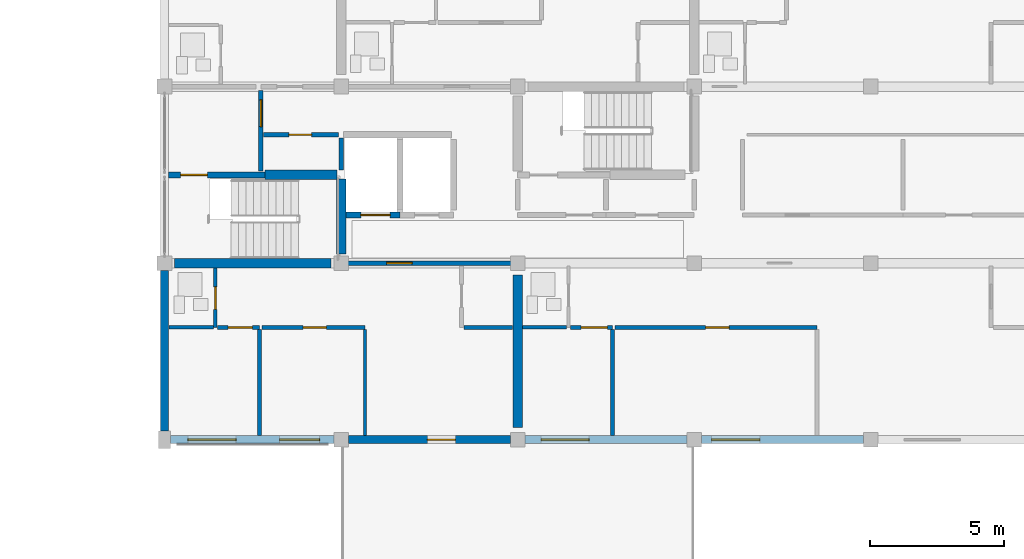
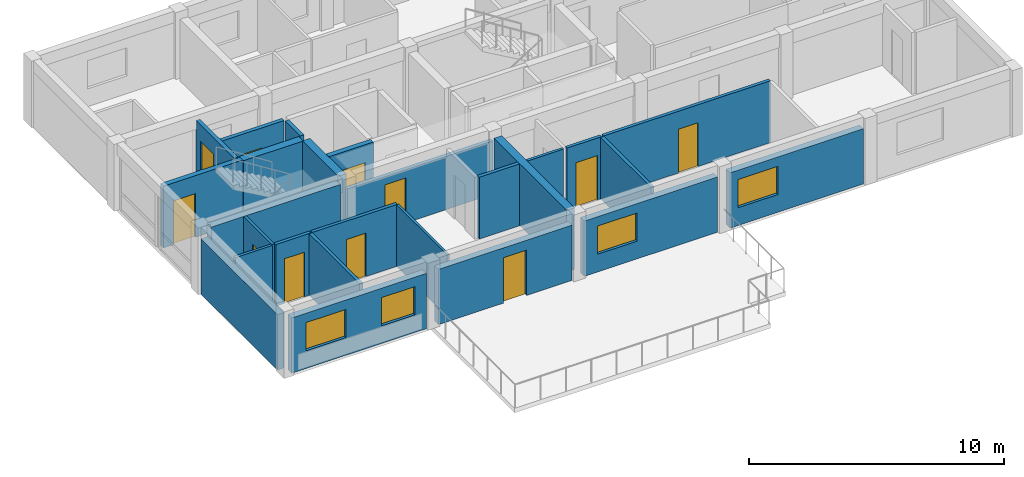
# One storey, part 37 of 51: 26 walls, 11 doors, 4 windows, 15 openings.
"""IFC4 building model written with IfcOpenShell, lengths in metres."""

from ifc_helpers import new_model, si_unit, direction, frame, frame_2d, origin, place, context, subcontext, project, spatial, rectangle, extrude, material, layer, layer_set, type_object, element, fill, save


model = new_model("IFC4")

# Units and contexts
model_context = context("Model", 3, precision=1e-05, world=origin(), true_north=direction((0.0, 1.0)))
body_context = subcontext(model_context, "Body", "Model", "MODEL_VIEW")
ifc_project = project(units=[si_unit("LENGTHUNIT", "METRE"), si_unit("AREAUNIT", "SQUARE_METRE"), si_unit("VOLUMEUNIT", "CUBIC_METRE"), si_unit("PLANEANGLEUNIT", "RADIAN"), si_unit("MASSUNIT", "GRAM", prefix="KILO")], contexts=[model_context])

# Site, building, storey
site_placement = place(None, origin())
site = spatial("IfcSite", under=ifc_project, at=site_placement, CompositionType="ELEMENT")
building_placement = place(site_placement, origin())
building = spatial("IfcBuilding", under=site, at=building_placement, Name="Kernevlak Ridge Housing Community", CompositionType="ELEMENT")
storey_placement = place(building_placement, frame((0.0, 0.0, 8.39990234375)))
storey = spatial("IfcBuildingStorey", under=building, at=storey_placement, Name="L02", CompositionType="ELEMENT", Elevation=8.39990234375)

# Wall, openings, windows
ifc_material_1 = material(Name="Concrete block masonry M10", Category="masonry")
ifc_layer_1 = layer(ifc_material_1, 0.300048828125, Name="Concrete block masonry M10")
ifc_layer_set_1 = layer_set([ifc_layer_1], Name="Concrete block masonry M10")
wall_type_1 = type_object("IfcWallType", Name="EW-01", PredefinedType="STANDARD", material=ifc_layer_set_1)
wall_1_placement = place(storey_placement, frame((119.625, 82.60009765625, 0.0), z_axis=(0.0, 0.0, 1.0), x_axis=(1.0, 0.0, 0.0)))
wall_1 = element("IfcWall", 1, at=wall_1_placement, inside=storey, type_object=wall_type_1, Name="Exterior wall EW-01 L02 323", PredefinedType="STANDARD", context=body_context, shape_type="SweptSolid", body=[
    extrude(rectangle(XDim=6.10009765625, YDim=0.300048828125, at=frame_2d((3.050048828125, 0.0))), origin(), (0.0, 0.0, 1.0), 2.650146484375),
])
opening_1_placement = place(wall_1_placement, frame((0.64990234375, 0.0, 0.85009765625)))
opening_1 = element("IfcOpeningElement", 2, at=opening_1_placement, cuts=wall_1, Name="Opening WT-03", PredefinedType="OPENING", context=body_context, shape_type="SweptSolid", body=[
    extrude(rectangle(XDim=1.800048828125, YDim=1.35009765625, at=frame_2d((0.89990234375, 0.675048828125))), frame((0.0, 0.159912109375, 0.0), z_axis=(0.0, -1.0, 0.0), x_axis=(1.0, 0.0, 0.0)), (0.0, 0.0, 1.0), 0.320068359375),
])
opening_2_placement = place(wall_1_placement, frame((4.074951171875, 0.0, 0.85009765625)))
opening_2 = element("IfcOpeningElement", 3, at=opening_2_placement, cuts=wall_1, Name="Opening WT-02", PredefinedType="OPENING", context=body_context, shape_type="SweptSolid", body=[
    extrude(rectangle(XDim=1.5, YDim=1.35009765625, at=frame_2d((0.75, 0.675048828125))), frame((0.0, 0.159912109375, 0.0), z_axis=(0.0, -1.0, 0.0), x_axis=(1.0, 0.0, 0.0)), (0.0, 0.0, 1.0), 0.320068359375),
])
ifc_material_2 = material(Name="Aluminium EN AW-6060 anodised and laminated glass", Category="aluminium")
window_type_1 = type_object("IfcWindowType", Name="WT-02", PartitioningType="SINGLE_PANEL", PredefinedType="WINDOW", material=ifc_material_2)
window_1_placement = place(opening_2_placement, origin())
window_1 = element("IfcWindow", 4, at=window_1_placement, inside=storey, type_object=window_type_1, Name="Window WT-02 L02 249", OverallHeight=1.35009765625, OverallWidth=1.5, PartitioningType="SINGLE_PANEL", PredefinedType="WINDOW", context=body_context, shape_type="SweptSolid", body=[
    extrude(rectangle(XDim=1.5, YDim=1.35009765625, at=frame_2d((0.75, 0.675048828125))), frame((0.0, 0.030029296875, 0.0), z_axis=(0.0, -1.0, 0.0), x_axis=(1.0, 0.0, 0.0)), (0.0, 0.0, 1.0), 0.06005859375),
])
fill(opening_2, window_1)
window_type_2 = type_object("IfcWindowType", Name="WT-03", PartitioningType="SINGLE_PANEL", PredefinedType="WINDOW", material=ifc_material_2)
window_2_placement = place(opening_1_placement, origin())
window_2 = element("IfcWindow", 5, at=window_2_placement, inside=storey, type_object=window_type_2, Name="Window WT-03 L02 248", OverallHeight=1.35009765625, OverallWidth=1.800048828125, PartitioningType="SINGLE_PANEL", PredefinedType="WINDOW", context=body_context, shape_type="SweptSolid", body=[
    extrude(rectangle(XDim=1.800048828125, YDim=1.35009765625, at=frame_2d((0.89990234375, 0.675048828125))), frame((0.0, 0.030029296875, 0.0), z_axis=(0.0, -1.0, 0.0), x_axis=(1.0, 0.0, 0.0)), (0.0, 0.0, 1.0), 0.06005859375),
])
fill(opening_1, window_2)

# Wall, opening, door
wall_2_placement = place(storey_placement, frame((126.27490234375, 82.60009765625, 0.0), z_axis=(0.0, 0.0, 1.0), x_axis=(1.0, 0.0, 0.0)))
wall_2 = element("IfcWall", 6, at=wall_2_placement, inside=storey, type_object=wall_type_1, Name="Exterior wall EW-01 L02 324", PredefinedType="STANDARD", context=body_context, shape_type="SweptSolid", body=[
    extrude(rectangle(XDim=6.050048828125, YDim=0.300048828125, at=frame_2d((3.02490234375, 0.0))), origin(), (0.0, 0.0, 1.0), 2.650146484375),
])
opening_3_placement = place(wall_2_placement, frame((2.946044921875, 0.0, 0.0)))
opening_3 = element("IfcOpeningElement", 7, at=opening_3_placement, cuts=wall_2, Name="Opening D654", PredefinedType="OPENING", context=body_context, shape_type="SweptSolid", body=[
    extrude(rectangle(XDim=1.050048828125, YDim=2.179931640625, at=frame_2d((0.52490234375, 1.08984375))), frame((0.0, 0.159912109375, 0.0), z_axis=(0.0, -1.0, 0.0), x_axis=(1.0, 0.0, 0.0)), (0.0, 0.0, 1.0), 0.320068359375),
])
ifc_material_3 = material(Name="Aluminium EN AW-6060 and laminated safety glass", Category="aluminium")
door_type_1 = type_object("IfcDoorType", Name="DT-12", OperationType="NOTDEFINED", PredefinedType="DOOR", material=ifc_material_3)
door_1_placement = place(opening_3_placement, origin())
door_1 = element("IfcDoor", 8, at=door_1_placement, inside=storey, type_object=door_type_1, Name="Flat B0211 podium terrace glazed door D654", OperationType="SINGLE_SWING_RIGHT", OverallHeight=2.179931640625, OverallWidth=1.050048828125, PredefinedType="DOOR", context=body_context, shape_type="SweptSolid", body=[
    extrude(rectangle(XDim=1.050048828125, YDim=2.179931640625, at=frame_2d((0.52490234375, 1.08984375))), frame((0.0, 0.02490234375, 0.0), z_axis=(0.0, -1.0, 0.0), x_axis=(1.0, 0.0, 0.0)), (0.0, 0.0, 1.0), 0.050048828125),
])
fill(opening_3, door_1)

# Wall, opening, window
wall_3_placement = place(storey_placement, frame((132.875, 82.60009765625, 0.0), z_axis=(0.0, 0.0, 1.0), x_axis=(1.0, 0.0, 0.0)))
wall_3 = element("IfcWall", 9, at=wall_3_placement, inside=storey, type_object=wall_type_1, Name="Exterior wall EW-01 L02 325", PredefinedType="STANDARD", context=body_context, shape_type="SweptSolid", body=[
    extrude(rectangle(XDim=6.050048828125, YDim=0.300048828125, at=frame_2d((3.02490234375, 0.0))), origin(), (0.0, 0.0, 1.0), 2.650146484375),
])
opening_4_placement = place(wall_3_placement, frame((0.60009765625, 0.0, 0.85009765625)))
opening_4 = element("IfcOpeningElement", 10, at=opening_4_placement, cuts=wall_3, Name="Opening WT-03", PredefinedType="OPENING", context=body_context, shape_type="SweptSolid", body=[
    extrude(rectangle(XDim=1.800048828125, YDim=1.35009765625, at=frame_2d((0.89990234375, 0.675048828125))), frame((0.0, 0.159912109375, 0.0), z_axis=(0.0, -1.0, 0.0), x_axis=(1.0, 0.0, 0.0)), (0.0, 0.0, 1.0), 0.320068359375),
])
window_3_placement = place(opening_4_placement, origin())
window_3 = element("IfcWindow", 11, at=window_3_placement, inside=storey, type_object=window_type_2, Name="Window WT-03 L02 250", OverallHeight=1.35009765625, OverallWidth=1.800048828125, PartitioningType="SINGLE_PANEL", PredefinedType="WINDOW", context=body_context, shape_type="SweptSolid", body=[
    extrude(rectangle(XDim=1.800048828125, YDim=1.35009765625, at=frame_2d((0.89990234375, 0.675048828125))), frame((0.0, 0.030029296875, 0.0), z_axis=(0.0, -1.0, 0.0), x_axis=(1.0, 0.0, 0.0)), (0.0, 0.0, 1.0), 0.06005859375),
])
fill(opening_4, window_3)

wall_4_placement = place(storey_placement, frame((139.47509765625, 82.60009765625, 0.0), z_axis=(0.0, 0.0, 1.0), x_axis=(1.0, 0.0, 0.0)))
wall_4 = element("IfcWall", 12, at=wall_4_placement, inside=storey, type_object=wall_type_1, Name="Exterior wall EW-01 L02 326", PredefinedType="STANDARD", context=body_context, shape_type="SweptSolid", body=[
    extrude(rectangle(XDim=6.0498046875, YDim=0.300048828125, at=frame_2d((3.02490234375, 0.0))), origin(), (0.0, 0.0, 1.0), 2.650146484375),
])
opening_5_placement = place(wall_4_placement, frame((0.375, 0.0, 0.85009765625)))
opening_5 = element("IfcOpeningElement", 13, at=opening_5_placement, cuts=wall_4, Name="Opening WT-03", PredefinedType="OPENING", context=body_context, shape_type="SweptSolid", body=[
    extrude(rectangle(XDim=1.800048828125, YDim=1.35009765625, at=frame_2d((0.89990234375, 0.675048828125))), frame((0.0, 0.159912109375, 0.0), z_axis=(0.0, -1.0, 0.0), x_axis=(1.0, 0.0, 0.0)), (0.0, 0.0, 1.0), 0.320068359375),
])
window_4_placement = place(opening_5_placement, origin())
window_4 = element("IfcWindow", 14, at=window_4_placement, inside=storey, type_object=window_type_2, Name="Window WT-03 L02 251", OverallHeight=1.35009765625, OverallWidth=1.800048828125, PartitioningType="SINGLE_PANEL", PredefinedType="WINDOW", context=body_context, shape_type="SweptSolid", body=[
    extrude(rectangle(XDim=1.800048828125, YDim=1.35009765625, at=frame_2d((0.89990234375, 0.675048828125))), frame((0.0, 0.030029296875, 0.0), z_axis=(0.0, -1.0, 0.0), x_axis=(1.0, 0.0, 0.0)), (0.0, 0.0, 1.0), 0.06005859375),
])
fill(opening_5, window_4)

# Wall
wall_5_placement = place(storey_placement, frame((119.39990234375, 82.925048828125, 0.0), z_axis=(0.0, 0.0, 1.0), x_axis=(0.0, 1.0, 0.0)))
element("IfcWall", 15, at=wall_5_placement, inside=storey, type_object=wall_type_1, Name="Exterior wall EW-01 L02 335", PredefinedType="STANDARD", context=body_context, shape_type="SweptSolid", body=[
    extrude(rectangle(XDim=6.0, YDim=0.300048828125, at=frame_2d((3.0, 0.0))), origin(), (0.0, 0.0, 1.0), 2.650146484375),
])

# Wall, opening, door
ifc_material_4 = material(Name="Concrete C35/45", Category="concrete")
ifc_layer_2 = layer(ifc_material_4, 0.22509765625, Name="Concrete C35/45")
ifc_layer_set_2 = layer_set([ifc_layer_2], Name="Concrete C35/45")
wall_type_2 = type_object("IfcWallType", Name="PW-01", PredefinedType="STANDARD", material=ifc_layer_set_2)
wall_6_placement = place(storey_placement, frame((119.550048828125, 92.5, 0.0), z_axis=(0.0, 0.0, 1.0), x_axis=(1.0, 0.0, 0.0)))
wall_6 = element("IfcWall", 16, at=wall_6_placement, inside=storey, type_object=wall_type_2, Name="Interior wall PW-01 WAL-INT-L02-1267", PredefinedType="STANDARD", context=body_context, shape_type="SweptSolid", body=[
    extrude(rectangle(XDim=3.599853515625, YDim=0.22509765625, at=frame_2d((1.7998046875, 0.0))), origin(), (0.0, 0.0, 1.0), 2.960205078125),
])
opening_6_placement = place(wall_6_placement, frame((0.449951171875, 0.0, 0.0)))
opening_6 = element("IfcOpeningElement", 17, at=opening_6_placement, cuts=wall_6, Name="Opening D641", PredefinedType="OPENING", context=body_context, shape_type="SweptSolid", body=[
    extrude(rectangle(XDim=1.0, YDim=2.10009765625, at=frame_2d((0.5, 1.050048828125))), frame((0.0, 0.12255859375, 0.0), z_axis=(0.0, -1.0, 0.0), x_axis=(1.0, 0.0, 0.0)), (0.0, 0.0, 1.0), 0.2451171875),
])
ifc_material_5 = material(Name="Fire-rated sheet steel leaf", Category="steel")
door_type_2 = type_object("IfcDoorType", Name="DT-05", OperationType="NOTDEFINED", PredefinedType="DOOR", material=ifc_material_5)
door_2_placement = place(opening_6_placement, origin())
door_2 = element("IfcDoor", 18, at=door_2_placement, inside=storey, type_object=door_type_2, Name="Block B Stair 1 fire door D641", OperationType="SINGLE_SWING_LEFT", OverallHeight=2.10009765625, OverallWidth=1.0, PredefinedType="DOOR", context=body_context, shape_type="SweptSolid", body=[
    extrude(rectangle(XDim=1.0, YDim=2.10009765625, at=frame_2d((0.5, 1.050048828125))), frame((0.0, 0.02490234375, 0.0), z_axis=(0.0, -1.0, 0.0), x_axis=(1.0, 0.0, 0.0)), (0.0, 0.0, 1.0), 0.050048828125),
])
fill(opening_6, door_2)

wall_7_placement = place(storey_placement, frame((126.18505859375, 91.0, 0.0), z_axis=(0.0, 0.0, 1.0), x_axis=(1.0, 0.0, 0.0)))
wall_7 = element("IfcWall", 19, at=wall_7_placement, inside=storey, type_object=wall_type_2, Name="Interior wall PW-01 WAL-INT-L02-1271", PredefinedType="STANDARD", context=body_context, shape_type="SweptSolid", body=[
    extrude(rectangle(XDim=2.014892578125, YDim=0.22509765625, at=frame_2d((1.00732421875, 0.0))), origin(), (0.0, 0.0, 1.0), 2.960205078125),
])
opening_7_placement = place(wall_7_placement, frame((0.550048828125, 0.0, 0.0)))
opening_7 = element("IfcOpeningElement", 20, at=opening_7_placement, cuts=wall_7, Name="Opening LD34", PredefinedType="OPENING", context=body_context, shape_type="SweptSolid", body=[
    extrude(rectangle(XDim=1.10009765625, YDim=2.10009765625, at=frame_2d((0.550048828125, 1.050048828125))), frame((0.0, 0.12255859375, 0.0), z_axis=(0.0, -1.0, 0.0), x_axis=(1.0, 0.0, 0.0)), (0.0, 0.0, 1.0), 0.2451171875),
])
ifc_material_6 = material(Name="Stainless steel EN 1.4401", Category="steel")
door_type_3 = type_object("IfcDoorType", Name="DT-LD1", OperationType="DOUBLE_DOOR_SLIDING", PredefinedType="DOOR", material=ifc_material_6)
door_3_placement = place(opening_7_placement, origin())
door_3 = element("IfcDoor", 21, at=door_3_placement, inside=storey, type_object=door_type_3, Name="Lift LF-B1 landing door LD34", OperationType="DOUBLE_DOOR_SLIDING", OverallHeight=2.10009765625, OverallWidth=1.10009765625, PredefinedType="DOOR", context=body_context, shape_type="SweptSolid", body=[
    extrude(rectangle(XDim=1.10009765625, YDim=2.10009765625, at=frame_2d((0.550048828125, 1.050048828125))), frame((0.0, 0.02490234375, 0.0), z_axis=(0.0, -1.0, 0.0), x_axis=(1.0, 0.0, 0.0)), (0.0, 0.0, 1.0), 0.050048828125),
])
fill(opening_7, door_3)

ifc_layer_3 = layer(ifc_material_1, 0.175048828125, Name="Concrete block masonry M10")
ifc_layer_set_3 = layer_set([ifc_layer_3], Name="Concrete block masonry M10")
wall_type_3 = type_object("IfcWallType", Name="PW-02", PredefinedType="PARTITIONING", material=ifc_layer_set_3)
wall_8_placement = place(storey_placement, frame((123.0, 92.64990234375, 0.0), z_axis=(0.0, 0.0, 1.0), x_axis=(0.0, 1.0, 0.0)))
wall_8 = element("IfcWall", 22, at=wall_8_placement, inside=storey, type_object=wall_type_3, Name="Interior wall PW-02 WAL-INT-L02-1268", PredefinedType="PARTITIONING", context=body_context, shape_type="SweptSolid", body=[
    extrude(rectangle(XDim=3.0, YDim=0.175048828125, at=frame_2d((1.5, 0.0))), origin(), (0.0, 0.0, 1.0), 2.960205078125),
])
opening_8_placement = place(wall_8_placement, frame((1.64990234375, 0.0, 0.0)))
opening_8 = element("IfcOpeningElement", 23, at=opening_8_placement, cuts=wall_8, Name="Opening D642", PredefinedType="OPENING", context=body_context, shape_type="SweptSolid", body=[
    extrude(rectangle(XDim=1.0, YDim=2.159912109375, at=frame_2d((0.5, 1.080078125))), frame((0.0, 0.097412109375, 0.0), z_axis=(0.0, -1.0, 0.0), x_axis=(1.0, 0.0, 0.0)), (0.0, 0.0, 1.0), 0.195068359375),
])
door_type_4 = type_object("IfcDoorType", Name="DT-15", OperationType="NOTDEFINED", PredefinedType="DOOR", material=ifc_material_5)
door_4_placement = place(opening_8_placement, origin())
door_4 = element("IfcDoor", 24, at=door_4_placement, inside=storey, type_object=door_type_4, Name="Block B Firefighting lobby 1 door D642", OperationType="SINGLE_SWING_RIGHT", OverallHeight=2.159912109375, OverallWidth=1.0, PredefinedType="DOOR", context=body_context, shape_type="SweptSolid", body=[
    extrude(rectangle(XDim=1.0, YDim=2.159912109375, at=frame_2d((0.5, 1.080078125))), frame((0.0, 0.02490234375, 0.0), z_axis=(0.0, -1.0, 0.0), x_axis=(1.0, 0.0, 0.0)), (0.0, 0.0, 1.0), 0.050048828125),
])
fill(opening_8, door_4)

wall_9_placement = place(storey_placement, frame((123.10009765625, 94.0, 0.0), z_axis=(0.0, 0.0, 1.0), x_axis=(1.0, 0.0, 0.0)))
wall_9 = element("IfcWall", 25, at=wall_9_placement, inside=storey, type_object=wall_type_3, Name="Interior wall PW-02 WAL-INT-L02-1269", PredefinedType="PARTITIONING", context=body_context, shape_type="SweptSolid", body=[
    extrude(rectangle(XDim=2.7998046875, YDim=0.175048828125, at=frame_2d((1.39990234375, 0.0))), origin(), (0.0, 0.0, 1.0), 2.960205078125),
])
opening_9_placement = place(wall_9_placement, frame((0.949951171875, 0.0, 0.0)))
opening_9 = element("IfcOpeningElement", 26, at=opening_9_placement, cuts=wall_9, Name="Opening D643", PredefinedType="OPENING", context=body_context, shape_type="SweptSolid", body=[
    extrude(rectangle(XDim=0.85009765625, YDim=2.0, at=frame_2d((0.425048828125, 1.0))), frame((0.0, 0.097412109375, 0.0), z_axis=(0.0, -1.0, 0.0), x_axis=(1.0, 0.0, 0.0)), (0.0, 0.0, 1.0), 0.195068359375),
])
door_type_5 = type_object("IfcDoorType", Name="DT-07", OperationType="NOTDEFINED", PredefinedType="DOOR", material=ifc_material_5)
door_5_placement = place(opening_9_placement, origin())
door_5 = element("IfcDoor", 27, at=door_5_placement, inside=storey, type_object=door_type_5, Name="Block B Riser shaft door D643", OperationType="SINGLE_SWING_LEFT", OverallHeight=2.0, OverallWidth=0.85009765625, PredefinedType="DOOR", context=body_context, shape_type="SweptSolid", body=[
    extrude(rectangle(XDim=0.85009765625, YDim=2.0, at=frame_2d((0.425048828125, 1.0))), frame((0.0, 0.02490234375, 0.0), z_axis=(0.0, -1.0, 0.0), x_axis=(1.0, 0.0, 0.0)), (0.0, 0.0, 1.0), 0.050048828125),
])
fill(opening_9, door_5)

# Wall
wall_10_placement = place(storey_placement, frame((126.0, 92.679931640625, 0.0), z_axis=(0.0, 0.0, 1.0), x_axis=(0.0, 1.0, 0.0)))
element("IfcWall", 28, at=wall_10_placement, inside=storey, type_object=wall_type_3, Name="Interior wall PW-02 WAL-INT-L02-1270", PredefinedType="PARTITIONING", context=body_context, shape_type="SweptSolid", body=[
    extrude(rectangle(XDim=1.190185546875, YDim=0.175048828125, at=frame_2d((0.59521484375, 0.0))), origin(), (0.0, 0.0, 1.0), 2.960205078125),
])

# Wall, opening, door
wall_11_placement = place(storey_placement, frame((126.0, 89.199951171875, 0.0), z_axis=(0.0, 0.0, 1.0), x_axis=(1.0, 0.0, 0.0)))
wall_11 = element("IfcWall", 29, at=wall_11_placement, inside=storey, type_object=wall_type_3, Name="Interior wall PW-02 WAL-INT-L02-1288", PredefinedType="PARTITIONING", context=body_context, shape_type="SweptSolid", body=[
    extrude(rectangle(XDim=6.60009765625, YDim=0.175048828125, at=frame_2d((3.300048828125, 0.0))), origin(), (0.0, 0.0, 1.0), 2.550048828125),
])
opening_10_placement = place(wall_11_placement, frame((1.699951171875, 0.0, 0.0)))
opening_10 = element("IfcOpeningElement", 30, at=opening_10_placement, cuts=wall_11, Name="Opening D649", PredefinedType="OPENING", context=body_context, shape_type="SweptSolid", body=[
    extrude(rectangle(XDim=0.949951171875, YDim=2.159912109375, at=frame_2d((0.47509765625, 1.080078125))), frame((0.0, 0.097412109375, 0.0), z_axis=(0.0, -1.0, 0.0), x_axis=(1.0, 0.0, 0.0)), (0.0, 0.0, 1.0), 0.195068359375),
])
ifc_material_7 = material(Name="Hardwood timber solid-core fire leaf", Category="wood")
door_type_6 = type_object("IfcDoorType", Name="DT-02", OperationType="NOTDEFINED", PredefinedType="DOOR", material=ifc_material_7)
door_6_placement = place(opening_10_placement, origin())
door_6 = element("IfcDoor", 31, at=door_6_placement, inside=storey, type_object=door_type_6, Name="Flat B0211 entrance fire door D649", OperationType="SINGLE_SWING_LEFT", OverallHeight=2.159912109375, OverallWidth=0.949951171875, PredefinedType="DOOR", context=body_context, shape_type="SweptSolid", body=[
    extrude(rectangle(XDim=0.949951171875, YDim=2.159912109375, at=frame_2d((0.47509765625, 1.080078125))), frame((0.0, 0.02490234375, 0.0), z_axis=(0.0, -1.0, 0.0), x_axis=(1.0, 0.0, 0.0)), (0.0, 0.0, 1.0), 0.050048828125),
])
fill(opening_10, door_6)

ifc_layer_4 = layer(ifc_material_1, 0.14501953125, Name="Concrete block masonry M10")
ifc_layer_set_4 = layer_set([ifc_layer_4], Name="Concrete block masonry M10")
wall_type_4 = type_object("IfcWallType", Name="PW-03", PredefinedType="PARTITIONING", material=ifc_layer_set_4)
wall_12_placement = place(storey_placement, frame((121.37255859375, 86.800048828125, 0.0), z_axis=(0.0, 0.0, 1.0), x_axis=(1.0, 0.0, 0.0)))
wall_12 = element("IfcWall", 32, at=wall_12_placement, inside=storey, type_object=wall_type_4, Name="Interior wall PW-03 WAL-INT-L02-1293", PredefinedType="PARTITIONING", context=body_context, shape_type="SweptSolid", body=[
    extrude(rectangle(XDim=1.577392578125, YDim=0.14501953125, at=frame_2d((0.78857421875, 0.0))), origin(), (0.0, 0.0, 1.0), 2.960205078125),
])
opening_11_placement = place(wall_12_placement, frame((0.39990234375, 0.0, 0.0)))
opening_11 = element("IfcOpeningElement", 33, at=opening_11_placement, cuts=wall_12, Name="Opening D652", PredefinedType="OPENING", context=body_context, shape_type="SweptSolid", body=[
    extrude(rectangle(XDim=0.909912109375, YDim=2.139892578125, at=frame_2d((0.455078125, 1.06982421875))), frame((0.0, 0.08251953125, 0.0), z_axis=(0.0, -1.0, 0.0), x_axis=(1.0, 0.0, 0.0)), (0.0, 0.0, 1.0), 0.1650390625),
])
ifc_material_8 = material(Name="Hardwood timber leaf", Category="wood")
door_type_7 = type_object("IfcDoorType", Name="DT-31", OperationType="NOTDEFINED", PredefinedType="DOOR", material=ifc_material_8)
door_7_placement = place(opening_11_placement, origin())
door_7 = element("IfcDoor", 34, at=door_7_placement, inside=storey, type_object=door_type_7, Name="Flat B0211 bedroom door D652", OperationType="SINGLE_SWING_RIGHT", OverallHeight=2.139892578125, OverallWidth=0.909912109375, PredefinedType="DOOR", context=body_context, shape_type="SweptSolid", body=[
    extrude(rectangle(XDim=0.909912109375, YDim=2.139892578125, at=frame_2d((0.455078125, 1.06982421875))), frame((0.0, 0.02490234375, 0.0), z_axis=(0.0, -1.0, 0.0), x_axis=(1.0, 0.0, 0.0)), (0.0, 0.0, 1.0), 0.050048828125),
])
fill(opening_11, door_7)

# Wall
wall_13_placement = place(storey_placement, frame((122.949951171875, 86.717529296875, 0.0), z_axis=(0.0, 0.0, 1.0), x_axis=(0.0, -1.0, 0.0)))
element("IfcWall", 35, at=wall_13_placement, inside=storey, type_object=wall_type_4, Name="Interior wall PW-03 WAL-INT-L02-1294", PredefinedType="PARTITIONING", context=body_context, shape_type="SweptSolid", body=[
    extrude(rectangle(XDim=3.95751953125, YDim=0.14501953125, at=frame_2d((1.978759765625, 0.0))), origin(), (0.0, 0.0, 1.0), 2.960205078125),
])

# Wall, opening, door
wall_14_placement = place(storey_placement, frame((123.032470703125, 86.800048828125, 0.0), z_axis=(0.0, 0.0, 1.0), x_axis=(1.0, 0.0, 0.0)))
wall_14 = element("IfcWall", 36, at=wall_14_placement, inside=storey, type_object=wall_type_4, Name="Interior wall PW-03 WAL-INT-L02-1295", PredefinedType="PARTITIONING", context=body_context, shape_type="SweptSolid", body=[
    extrude(rectangle(XDim=3.859619140625, YDim=0.14501953125, at=frame_2d((1.9296875, 0.0))), origin(), (0.0, 0.0, 1.0), 2.960205078125),
])
opening_12_placement = place(wall_14_placement, frame((1.5458984375, 0.0, 0.0)))
opening_12 = element("IfcOpeningElement", 37, at=opening_12_placement, cuts=wall_14, Name="Opening D653", PredefinedType="OPENING", context=body_context, shape_type="SweptSolid", body=[
    extrude(rectangle(XDim=0.8701171875, YDim=2.080078125, at=frame_2d((0.43505859375, 1.0400390625))), frame((0.0, 0.08251953125, 0.0), z_axis=(0.0, -1.0, 0.0), x_axis=(1.0, 0.0, 0.0)), (0.0, 0.0, 1.0), 0.1650390625),
])
door_type_8 = type_object("IfcDoorType", Name="DT-32", OperationType="NOTDEFINED", PredefinedType="DOOR", material=ifc_material_8)
door_8_placement = place(opening_12_placement, origin())
door_8 = element("IfcDoor", 38, at=door_8_placement, inside=storey, type_object=door_type_8, Name="Flat B0211 bedroom door D653", OperationType="SINGLE_SWING_LEFT", OverallHeight=2.080078125, OverallWidth=0.8701171875, PredefinedType="DOOR", context=body_context, shape_type="SweptSolid", body=[
    extrude(rectangle(XDim=0.8701171875, YDim=2.080078125, at=frame_2d((0.43505859375, 1.0400390625))), frame((0.0, 0.02490234375, 0.0), z_axis=(0.0, -1.0, 0.0), x_axis=(1.0, 0.0, 0.0)), (0.0, 0.0, 1.0), 0.050048828125),
])
fill(opening_12, door_8)

wall_15_placement = place(storey_placement, frame((134.572509765625, 86.800048828125, 0.0), z_axis=(0.0, 0.0, 1.0), x_axis=(1.0, 0.0, 0.0)))
wall_15 = element("IfcWall", 39, at=wall_15_placement, inside=storey, type_object=wall_type_4, Name="Interior wall PW-03 WAL-INT-L02-1302", PredefinedType="PARTITIONING", context=body_context, shape_type="SweptSolid", body=[
    extrude(rectangle(XDim=1.577392578125, YDim=0.14501953125, at=frame_2d((0.78857421875, 0.0))), origin(), (0.0, 0.0, 1.0), 2.960205078125),
])
opening_13_placement = place(wall_15_placement, frame((0.39990234375, 0.0, 0.0)))
opening_13 = element("IfcOpeningElement", 40, at=opening_13_placement, cuts=wall_15, Name="Opening D658", PredefinedType="OPENING", context=body_context, shape_type="SweptSolid", body=[
    extrude(rectangle(XDim=0.97998046875, YDim=2.1201171875, at=frame_2d((0.489990234375, 1.06005859375))), frame((0.0, 0.08251953125, 0.0), z_axis=(0.0, -1.0, 0.0), x_axis=(1.0, 0.0, 0.0)), (0.0, 0.0, 1.0), 0.1650390625),
])
door_type_9 = type_object("IfcDoorType", Name="DT-24", OperationType="NOTDEFINED", PredefinedType="DOOR", material=ifc_material_8)
door_9_placement = place(opening_13_placement, origin())
door_9 = element("IfcDoor", 41, at=door_9_placement, inside=storey, type_object=door_type_9, Name="Flat B0212 bedroom door D658", OperationType="SINGLE_SWING_RIGHT", OverallHeight=2.1201171875, OverallWidth=0.97998046875, PredefinedType="DOOR", context=body_context, shape_type="SweptSolid", body=[
    extrude(rectangle(XDim=0.97998046875, YDim=2.1201171875, at=frame_2d((0.489990234375, 1.06005859375))), frame((0.0, 0.02490234375, 0.0), z_axis=(0.0, -1.0, 0.0), x_axis=(1.0, 0.0, 0.0)), (0.0, 0.0, 1.0), 0.050048828125),
])
fill(opening_13, door_9)

# Wall
wall_16_placement = place(storey_placement, frame((136.14990234375, 86.717529296875, 0.0), z_axis=(0.0, 0.0, 1.0), x_axis=(0.0, -1.0, 0.0)))
element("IfcWall", 42, at=wall_16_placement, inside=storey, type_object=wall_type_4, Name="Interior wall PW-03 WAL-INT-L02-1303", PredefinedType="PARTITIONING", context=body_context, shape_type="SweptSolid", body=[
    extrude(rectangle(XDim=3.95751953125, YDim=0.14501953125, at=frame_2d((1.978759765625, 0.0))), origin(), (0.0, 0.0, 1.0), 2.960205078125),
])

# Wall, opening, door
wall_17_placement = place(storey_placement, frame((136.232421875, 86.800048828125, 0.0), z_axis=(0.0, 0.0, 1.0), x_axis=(1.0, 0.0, 0.0)))
wall_17 = element("IfcWall", 43, at=wall_17_placement, inside=storey, type_object=wall_type_4, Name="Interior wall PW-03 WAL-INT-L02-1304", PredefinedType="PARTITIONING", context=body_context, shape_type="SweptSolid", body=[
    extrude(rectangle(XDim=7.5556640625, YDim=0.14501953125, at=frame_2d((3.77783203125, 0.0))), origin(), (0.0, 0.0, 1.0), 2.960205078125),
])
opening_14_placement = place(wall_17_placement, frame((3.39404296875, 0.0, 0.0)))
opening_14 = element("IfcOpeningElement", 44, at=opening_14_placement, cuts=wall_17, Name="Opening D659", PredefinedType="OPENING", context=body_context, shape_type="SweptSolid", body=[
    extrude(rectangle(XDim=0.8798828125, YDim=2.10009765625, at=frame_2d((0.43994140625, 1.050048828125))), frame((0.0, 0.08251953125, 0.0), z_axis=(0.0, -1.0, 0.0), x_axis=(1.0, 0.0, 0.0)), (0.0, 0.0, 1.0), 0.1650390625),
])
door_type_10 = type_object("IfcDoorType", Name="DT-25", OperationType="NOTDEFINED", PredefinedType="DOOR", material=ifc_material_8)
door_10_placement = place(opening_14_placement, origin())
door_10 = element("IfcDoor", 45, at=door_10_placement, inside=storey, type_object=door_type_10, Name="Flat B0212 bedroom door D659", OperationType="SINGLE_SWING_LEFT", OverallHeight=2.10009765625, OverallWidth=0.8798828125, PredefinedType="DOOR", context=body_context, shape_type="SweptSolid", body=[
    extrude(rectangle(XDim=0.8798828125, YDim=2.10009765625, at=frame_2d((0.43994140625, 1.050048828125))), frame((0.0, 0.02490234375, 0.0), z_axis=(0.0, -1.0, 0.0), x_axis=(1.0, 0.0, 0.0)), (0.0, 0.0, 1.0), 0.050048828125),
])
fill(opening_14, door_10)

ifc_material_9 = material(Name="Gypsum plasterboard EN 520", Category="gypsum")
ifc_layer_5 = layer(ifc_material_9, 0.125, Name="Gypsum plasterboard EN 520")
ifc_layer_set_5 = layer_set([ifc_layer_5], Name="Gypsum plasterboard EN 520")
wall_type_5 = type_object("IfcWallType", Name="PW-04", PredefinedType="PARTITIONING", material=ifc_layer_set_5)
wall_18_placement = place(storey_placement, frame((121.300048828125, 89.014892578125, 0.0), z_axis=(0.0, 0.0, 1.0), x_axis=(0.0, -1.0, 0.0)))
wall_18 = element("IfcWall", 46, at=wall_18_placement, inside=storey, type_object=wall_type_5, Name="Interior wall PW-04 WAL-INT-L02-1289", PredefinedType="PARTITIONING", context=body_context, shape_type="SweptSolid", body=[
    extrude(rectangle(XDim=2.21484375, YDim=0.125, at=frame_2d((1.107421875, 0.0))), origin(), (0.0, 0.0, 1.0), 2.960205078125),
])
opening_15_placement = place(wall_18_placement, frame((0.699951171875, 0.0, 0.0)))
opening_15 = element("IfcOpeningElement", 47, at=opening_15_placement, cuts=wall_18, Name="Opening D650", PredefinedType="OPENING", context=body_context, shape_type="SweptSolid", body=[
    extrude(rectangle(XDim=0.840087890625, YDim=2.06005859375, at=frame_2d((0.419921875, 1.030029296875))), frame((0.0, 0.072509765625, 0.0), z_axis=(0.0, -1.0, 0.0), x_axis=(1.0, 0.0, 0.0)), (0.0, 0.0, 1.0), 0.14501953125),
])
ifc_material_10 = material(Name="Hardwood timber moisture-resistant leaf", Category="wood")
door_type_11 = type_object("IfcDoorType", Name="DT-27", OperationType="NOTDEFINED", PredefinedType="DOOR", material=ifc_material_10)
door_11_placement = place(opening_15_placement, origin())
door_11 = element("IfcDoor", 48, at=door_11_placement, inside=storey, type_object=door_type_11, Name="Flat B0211 bathroom door D650", OperationType="SINGLE_SWING_RIGHT", OverallHeight=2.06005859375, OverallWidth=0.840087890625, PredefinedType="DOOR", context=body_context, shape_type="SweptSolid", body=[
    extrude(rectangle(XDim=0.840087890625, YDim=2.06005859375, at=frame_2d((0.419921875, 1.030029296875))), frame((0.0, 0.02490234375, 0.0), z_axis=(0.0, -1.0, 0.0), x_axis=(1.0, 0.0, 0.0)), (0.0, 0.0, 1.0), 0.050048828125),
])
fill(opening_15, door_11)

# Walls
wall_19_placement = place(storey_placement, frame((119.56005859375, 86.800048828125, 0.0), z_axis=(0.0, 0.0, 1.0), x_axis=(1.0, 0.0, 0.0)))
element("IfcWall", 49, at=wall_19_placement, inside=storey, type_object=wall_type_5, Name="Interior wall PW-04 WAL-INT-L02-1290", PredefinedType="PARTITIONING", context=body_context, shape_type="SweptSolid", body=[
    extrude(rectangle(XDim=1.659912109375, YDim=0.125, at=frame_2d((0.830078125, 0.0))), origin(), (0.0, 0.0, 1.0), 2.960205078125),
])
wall_20_placement = place(storey_placement, frame((132.784912109375, 86.800048828125, 0.0), z_axis=(0.0, 0.0, 1.0), x_axis=(1.0, 0.0, 0.0)))
element("IfcWall", 50, at=wall_20_placement, inside=storey, type_object=wall_type_5, Name="Interior wall PW-04 WAL-INT-L02-1299", PredefinedType="PARTITIONING", context=body_context, shape_type="SweptSolid", body=[
    extrude(rectangle(XDim=1.635009765625, YDim=0.125, at=frame_2d((0.8173828125, 0.0))), origin(), (0.0, 0.0, 1.0), 2.960205078125),
])
ifc_layer_6 = layer(ifc_material_9, 0.155029296875, Name="Gypsum plasterboard EN 520")
ifc_layer_set_6 = layer_set([ifc_layer_6], Name="Gypsum plasterboard EN 520")
wall_type_6 = type_object("IfcWallType", Name="PW-05", PredefinedType="PARTITIONING", material=ifc_layer_set_6)
wall_21_placement = place(storey_placement, frame((130.58740234375, 86.800048828125, 0.0), z_axis=(0.0, 0.0, 1.0), x_axis=(1.0, 0.0, 0.0)))
element("IfcWall", 51, at=wall_21_placement, inside=storey, type_object=wall_type_6, Name="Interior wall PW-05 WAL-INT-L02-1292", PredefinedType="PARTITIONING", context=body_context, shape_type="SweptSolid", body=[
    extrude(rectangle(XDim=1.82763671875, YDim=0.155029296875, at=frame_2d((0.913818359375, 0.0))), origin(), (0.0, 0.0, 1.0), 2.960205078125),
])
ifc_layer_7 = layer(ifc_material_9, 0.10498046875, Name="Gypsum plasterboard EN 520")
ifc_layer_set_7 = layer_set([ifc_layer_7], Name="Gypsum plasterboard EN 520")
wall_type_7 = type_object("IfcWallType", Name="PW-06", PredefinedType="PARTITIONING", material=ifc_layer_set_7)
wall_22_placement = place(storey_placement, frame((126.89208984375, 86.717529296875, 0.0), z_axis=(0.0, 0.0, 1.0), x_axis=(0.0, -1.0, 0.0)))
element("IfcWall", 52, at=wall_22_placement, inside=storey, type_object=wall_type_7, Name="Interior wall PW-06 WAL-INT-L02-1296", PredefinedType="PARTITIONING", context=body_context, shape_type="SweptSolid", body=[
    extrude(rectangle(XDim=3.95751953125, YDim=0.10498046875, at=frame_2d((1.978759765625, 0.0))), origin(), (0.0, 0.0, 1.0), 2.960205078125),
])
ifc_material_11 = material(Name="Concrete C40/50", Category="concrete")
ifc_layer_8 = layer(ifc_material_11, 0.35009765625, Name="Concrete C40/50")
ifc_layer_set_8 = layer_set([ifc_layer_8], Name="Concrete C40/50")
wall_type_8 = type_object("IfcWallType", Name="SW-01", PredefinedType="SHEAR", material=ifc_layer_set_8)
wall_23_placement = place(storey_placement, frame((119.780029296875, 89.199951171875, 0.0), z_axis=(0.0, 0.0, 1.0), x_axis=(1.0, 0.0, 0.0)))
element("IfcWall", 53, at=wall_23_placement, inside=storey, type_object=wall_type_8, Name="Shear wall SW-01 Block B L02 231", PredefinedType="SHEAR", context=body_context, shape_type="SweptSolid", body=[
    extrude(rectangle(XDim=5.840087890625, YDim=0.35009765625, at=frame_2d((2.919921875, 0.0))), origin(), (0.0, 0.0, 1.0), 2.960205078125),
])
wall_24_placement = place(storey_placement, frame((123.14990234375, 92.5, 0.0), z_axis=(0.0, 0.0, 1.0), x_axis=(1.0, 0.0, 0.0)))
element("IfcWall", 54, at=wall_24_placement, inside=storey, type_object=wall_type_8, Name="Shear wall SW-01 Block B L02 232", PredefinedType="SHEAR", context=body_context, shape_type="SweptSolid", body=[
    extrude(rectangle(XDim=2.7001953125, YDim=0.35009765625, at=frame_2d((1.35009765625, 0.0))), origin(), (0.0, 0.0, 1.0), 2.960205078125),
])
wall_25_placement = place(storey_placement, frame((126.0, 89.550048828125, 0.0), z_axis=(0.0, 0.0, 1.0), x_axis=(0.0, 1.0, 0.0)))
element("IfcWall", 55, at=wall_25_placement, inside=storey, type_object=wall_type_8, Name="Shear wall SW-01 Block B L02 233", PredefinedType="SHEAR", context=body_context, shape_type="SweptSolid", body=[
    extrude(rectangle(XDim=2.800048828125, YDim=0.35009765625, at=frame_2d((1.39990234375, 0.0))), origin(), (0.0, 0.0, 1.0), 2.960205078125),
])
wall_26_placement = place(storey_placement, frame((132.60009765625, 83.050048828125, 0.0), z_axis=(0.0, 0.0, 1.0), x_axis=(0.0, 1.0, 0.0)))
element("IfcWall", 56, at=wall_26_placement, inside=storey, type_object=wall_type_8, Name="Shear wall SW-01 Block B L02 238", PredefinedType="SHEAR", context=body_context, shape_type="SweptSolid", body=[
    extrude(rectangle(XDim=5.699951171875, YDim=0.35009765625, at=frame_2d((2.85009765625, 0.0))), origin(), (0.0, 0.0, 1.0), 2.960205078125),
])

save(model, "model.ifc")
